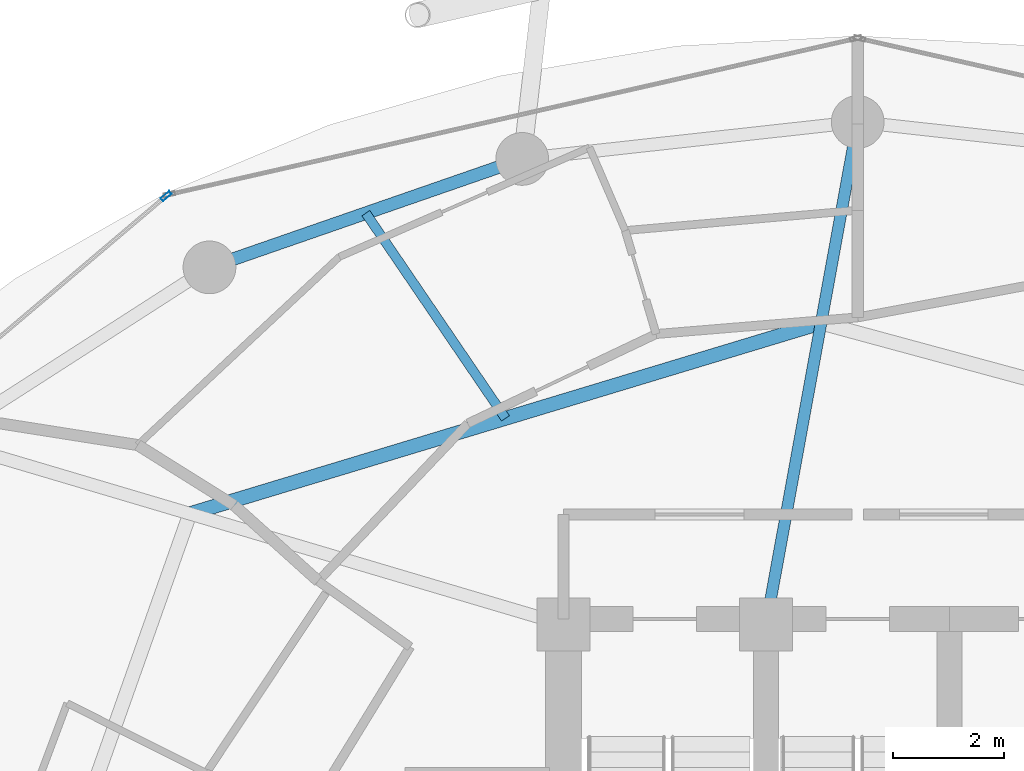
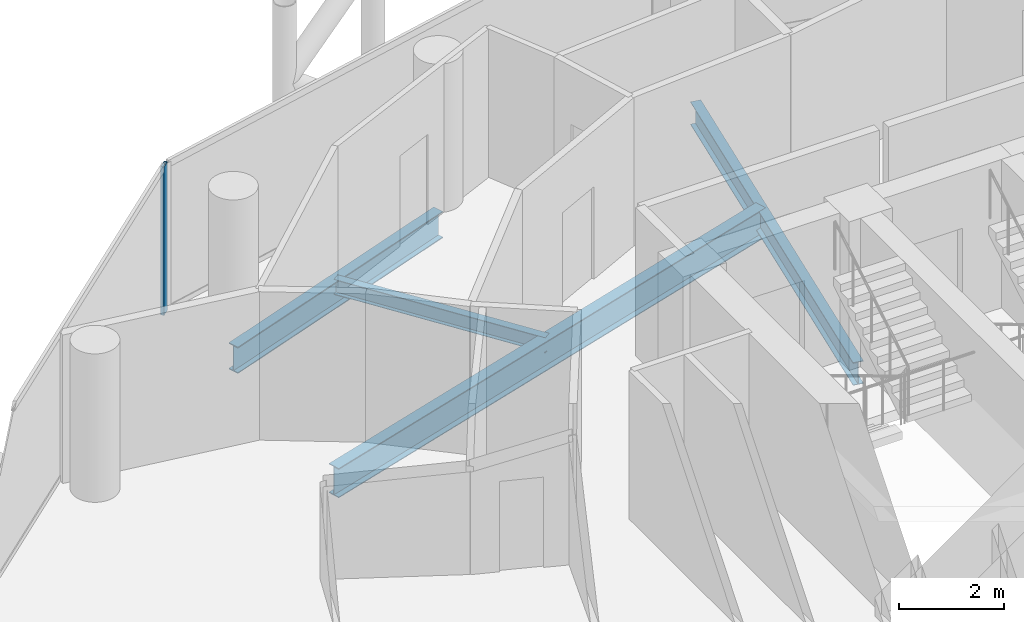
# One storey, part 15 of 26: 4 beams, 1 member, 1 element without a shape of its own.
"""IFC4 building model written with IfcOpenShell, lengths in metres."""

from ifc_helpers import new_model, si_unit, direction, frame, origin, origin_2d, place, context, subcontext, project, spatial, hollow_rectangle, i_section, extrude, material, layer, layer_set, material_profile, profile_set, type_object, element, aggregate, save


model = new_model("IFC4")

# Units and contexts
model_context = context("Model", 3, precision=1e-05, world=origin(), true_north=direction((0.0, 1.0)))
body_context = subcontext(model_context, "Body", "Model", "MODEL_VIEW")
ifc_project = project(units=[si_unit("LENGTHUNIT", "METRE"), si_unit("AREAUNIT", "SQUARE_METRE"), si_unit("VOLUMEUNIT", "CUBIC_METRE"), si_unit("PLANEANGLEUNIT", "RADIAN"), si_unit("MASSUNIT", "GRAM", prefix="KILO")], contexts=[model_context])

# Site, building, storey
site_placement = place(None, origin())
site = spatial("IfcSite", under=ifc_project, at=site_placement, CompositionType="ELEMENT")
building_placement = place(site_placement, origin())
building = spatial("IfcBuilding", under=site, at=building_placement, Name="Nuhasar Tower", CompositionType="ELEMENT")
storey_placement = place(building_placement, frame((0.0, 0.0, 140.449951171875)))
storey = spatial("IfcBuildingStorey", under=building, at=storey_placement, Name="L33", CompositionType="ELEMENT", Elevation=140.449951171875)

# Beams
ifc_material_1 = material(Name="Steel S355", Category="steel")
ifc_material_profile_1 = material_profile(ifc_material_1, i_section(OverallWidth=0.25390625, OverallDepth=0.68408203125, WebThickness=0.012451171875, FlangeThickness=0.018798828125, at=origin_2d()), Name="W27X94")
ifc_profile_set_1 = profile_set([ifc_material_profile_1], Name="Steel S355")
beam_type_1 = type_object("IfcBeamType", Name="BM-INRING-W27X94", PredefinedType="BEAM", material=ifc_profile_set_1)
beam_1_placement = place(storey_placement, frame((38.340087890625, 42.72998046875, -0.592041015625), z_axis=(-0.95722440557, -0.289346569673, 0.0), x_axis=(0.289346569673, -0.95722440557, 0.0)))
element("IfcBeam", 1, at=beam_1_placement, inside=storey, type_object=beam_type_1, Name="L33 Inner Header Beam 06", PredefinedType="BEAM", context=body_context, shape_type="SweptSolid", body=[
    extrude(i_section(OverallWidth=0.25390625, OverallDepth=0.68408203125, WebThickness=0.012451171875, FlangeThickness=0.018798828125, at=origin_2d()), origin(), (0.0, 0.0, 1.0), 11.875244140625),
])
ifc_material_profile_2 = material_profile(ifc_material_1, i_section(OverallWidth=0.1708984375, OverallDepth=0.35205078125, WebThickness=0.0068359375, FlangeThickness=0.009765625, at=origin_2d()), Name="W14X30")
ifc_profile_set_2 = profile_set([ifc_material_profile_2], Name="Steel S355")
beam_type_2 = type_object("IfcBeamType", Name="BM-JST-W14X30", PredefinedType="JOIST", material=ifc_profile_set_2)
beam_2_placement = place(storey_placement, frame((32.656982421875, 41.011962890625, -0.426025390625), z_axis=(-0.562802886474, 0.826591138941, 0.0), x_axis=(-0.826591138941, -0.562802886474, 0.0)))
element("IfcBeam", 2, at=beam_2_placement, inside=storey, type_object=beam_type_2, Name="L33 Secondary Floor Joist 06", PredefinedType="JOIST", context=body_context, shape_type="SweptSolid", body=[
    extrude(i_section(OverallWidth=0.1708984375, OverallDepth=0.35205078125, WebThickness=0.0068359375, FlangeThickness=0.009765625, at=origin_2d()), origin(), (0.0, 0.0, 1.0), 4.47021484375),
])
ifc_material_profile_3 = material_profile(ifc_material_1, i_section(OverallWidth=0.208984375, OverallDepth=0.532958984375, WebThickness=0.01025390625, FlangeThickness=0.015625, at=origin_2d()), Name="W21X62")
ifc_profile_set_3 = profile_set([ifc_material_profile_3], Name="Steel S355")
beam_type_3 = type_object("IfcBeamType", Name="BM-RAD-W21X62", PredefinedType="BEAM", material=ifc_profile_set_3)
beam_3_placement = place(storey_placement, frame((37.35009765625, 37.300048828125, -0.516845703125), z_axis=(0.179352509513, 0.983784873502, 0.0), x_axis=(-0.983784873502, 0.179352509513, 0.0)))
element("IfcBeam", 3, at=beam_3_placement, inside=storey, type_object=beam_type_3, Name="L33 Radial Floor Girder 06", PredefinedType="BEAM", context=body_context, shape_type="SweptSolid", body=[
    extrude(i_section(OverallWidth=0.208984375, OverallDepth=0.532958984375, WebThickness=0.01025390625, FlangeThickness=0.015625, at=origin_2d()), origin(), (0.0, 0.0, 1.0), 9.19921875),
])
ifc_material_profile_4 = material_profile(ifc_material_1, i_section(OverallWidth=0.22998046875, OverallDepth=0.616943359375, WebThickness=0.01318359375, FlangeThickness=0.022216796875, at=origin_2d()), Name="W24X94")
ifc_profile_set_4 = profile_set([ifc_material_profile_4], Name="Steel S355")
beam_type_4 = type_object("IfcBeamType", Name="BM-RING-W24X94", PredefinedType="SPANDREL", material=ifc_profile_set_4)
beam_4_placement = place(storey_placement, frame((32.95703125, 45.68408203125, -0.558837890625), z_axis=(-0.944801380051, -0.327643636066, 0.0), x_axis=(0.327643636066, -0.944801380051, 0.0)))
element("IfcBeam", 4, at=beam_4_placement, inside=storey, type_object=beam_type_4, Name="L33 Perimeter Ring Spandrel 08", PredefinedType="SPANDREL", context=body_context, shape_type="SweptSolid", body=[
    extrude(i_section(OverallWidth=0.22998046875, OverallDepth=0.616943359375, WebThickness=0.01318359375, FlangeThickness=0.022216796875, at=origin_2d()), origin(), (0.0, 0.0, 1.0), 5.961181640625),
])

# Curtain wall, member
ifc_material_2 = material(Name="Aluminium 6063-T6", Category="aluminium")
ifc_layer = layer(ifc_material_2, 0.199951171875)
ifc_layer_set = layer_set([ifc_layer], Name="Aluminium 6063-T6")
curtain_wall_type = type_object("IfcCurtainWallType", Name="CW-Z2-HTL", PredefinedType="NOTDEFINED", material=ifc_layer_set)
curtain_wall_placement = place(storey_placement, origin())
curtain_wall = element("IfcCurtainWall", 5, at=curtain_wall_placement, inside=storey, type_object=curtain_wall_type, Name="L33 Unitised Curtain Wall 05", PredefinedType="NOTDEFINED")
ifc_material_profile_5 = material_profile(ifc_material_2, hollow_rectangle(XDim=0.070068359375, YDim=0.199951171875, WallThickness=0.0048828125, at=origin_2d()), Name="CWM-3")
ifc_profile_set_5 = profile_set([ifc_material_profile_5], Name="Aluminium 6063-T6")
member_type = type_object("IfcMemberType", Name="CW-MUL-S3", PredefinedType="MULLION", material=ifc_profile_set_5)
member_placement = place(storey_placement, frame((26.543212890625, 45.015380859375, 0.0), z_axis=(0.0, 0.0, 1.0), x_axis=(0.646374438324, -0.763020370292, 0.0)))
member = element("IfcMember", 6, at=member_placement, type_object=member_type, Name="CW-Z2 mullion 1", PredefinedType="MULLION", context=body_context, shape_type="SweptSolid", body=[
    extrude(hollow_rectangle(XDim=0.070068359375, YDim=0.199951171875, WallThickness=0.0048828125, at=origin_2d()), origin(), (0.0, 0.0, 1.0), 3.449951171875),
])
aggregate(curtain_wall, [member])

save(model, "model.ifc")
